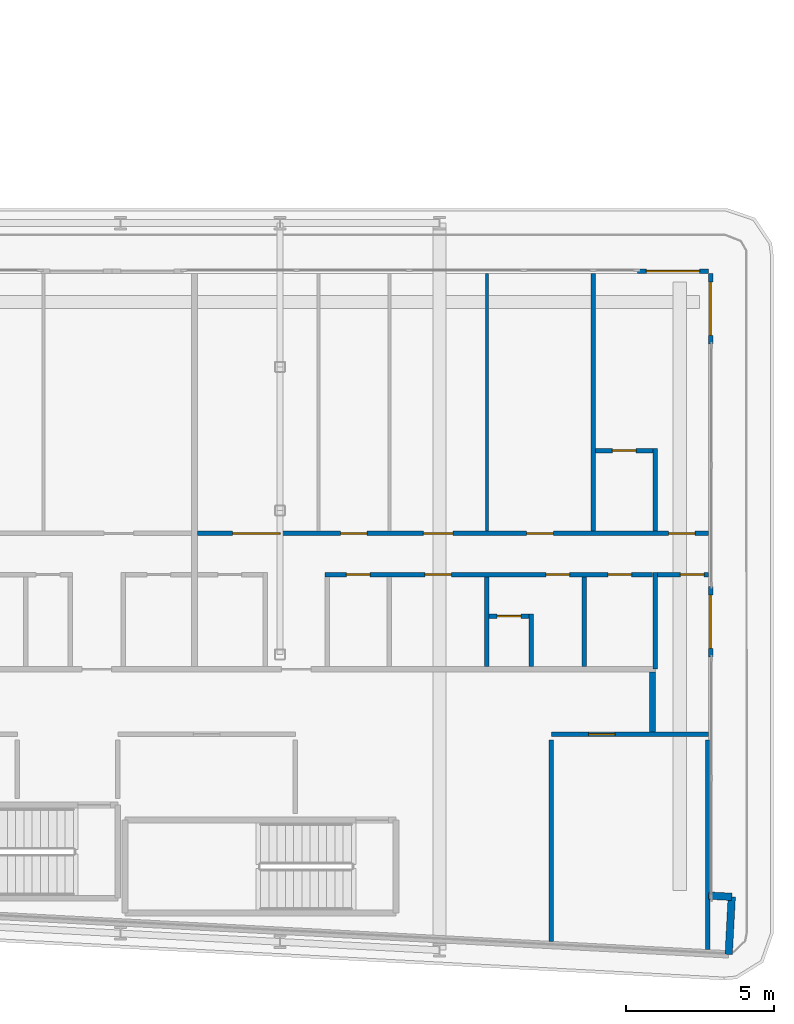
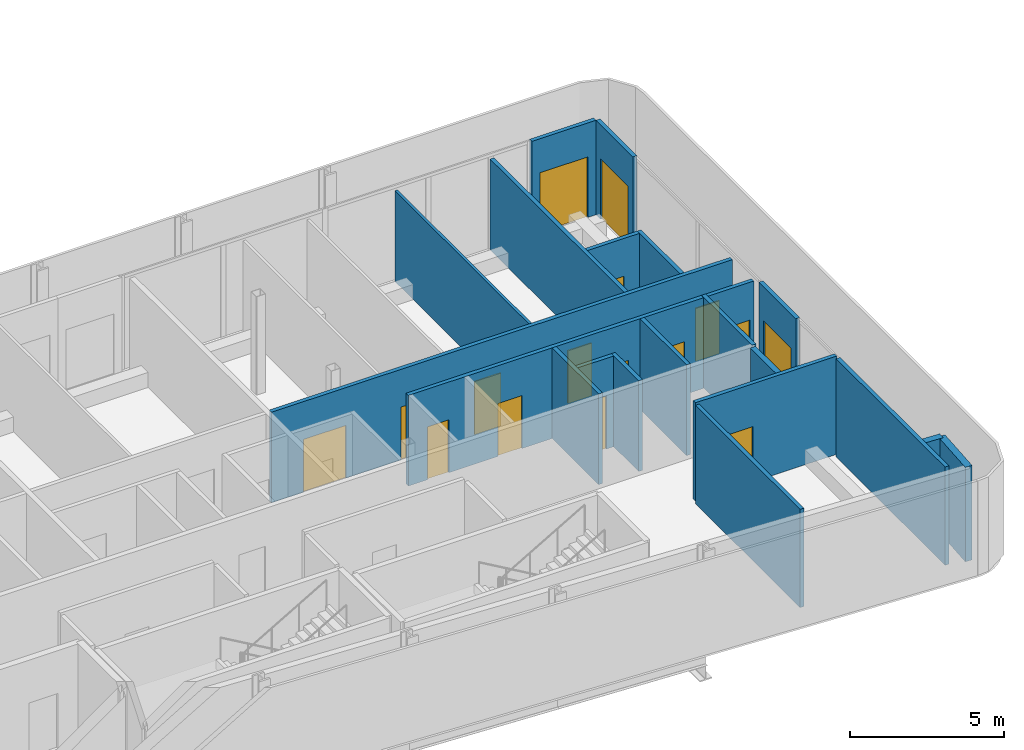
# One storey, part 19 of 28: 21 walls, 16 doors, 16 openings.
"""IFC4 building model written with IfcOpenShell, lengths in metres."""

from ifc_helpers import new_model, si_unit, direction, frame, frame_2d, origin, place, context, subcontext, project, spatial, rectangle, extrude, source, transform, mapped, material, layer, layer_set, type_object, element, fill, save


model = new_model("IFC4")

# Units and contexts
model_context = context("Model", 3, precision=1e-05, world=origin(), true_north=direction((0.0, 1.0)))
body_context = subcontext(model_context, "Body", "Model", "MODEL_VIEW")
ifc_project = project(units=[si_unit("LENGTHUNIT", "METRE"), si_unit("AREAUNIT", "SQUARE_METRE"), si_unit("VOLUMEUNIT", "CUBIC_METRE"), si_unit("PLANEANGLEUNIT", "RADIAN"), si_unit("MASSUNIT", "GRAM", prefix="KILO")], contexts=[model_context])

# Site, building, storey
site_placement = place(None, origin())
site = spatial("IfcSite", under=ifc_project, at=site_placement, CompositionType="ELEMENT")
building_placement = place(site_placement, origin())
building = spatial("IfcBuilding", under=site, at=building_placement, Name="Kheshtan School and Residences Tower", CompositionType="ELEMENT")
storey_placement = place(building_placement, frame((0.0, 0.0, 140.89990234375)))
storey = spatial("IfcBuildingStorey", under=building, at=storey_placement, Name="L33", CompositionType="ELEMENT", Elevation=140.89990234375)

# Walls
ifc_material_1 = material(Name="Gypsum board on steel studs with fire boards", Category="steel")
ifc_layer_1 = layer(ifc_material_1, 0.199951171875)
ifc_layer_set_1 = layer_set([ifc_layer_1], Name="Corridor wall 200")
wall_type_1 = type_object("IfcWallType", Name="Corridor wall 200", PredefinedType="PARTITIONING", material=ifc_layer_set_1)
wall_1_placement = place(storey_placement, frame((98.0, 28.3740234375, 0.0), z_axis=(0.0, 0.0, 1.0), x_axis=(0.0, 1.0, 0.0)))
element("IfcWall", 1, at=wall_1_placement, inside=storey, type_object=wall_type_1, Name="Partition L33-087", PredefinedType="PARTITIONING", context=body_context, shape_type="SweptSolid", body=[
    extrude(rectangle(XDim=2.02587890625, YDim=0.199951171875, at=frame_2d((1.012939453125, 0.0))), origin(), (0.0, 0.0, 1.0), 3.60009765625),
])
ifc_material_2 = material(Name="Concrete C40/50 with ceramic cladding and mineral wool insulation", Category="concrete")
ifc_layer_2 = layer(ifc_material_2, 0.25)
ifc_layer_set_2 = layer_set([ifc_layer_2], Name="External wall 250 ceramic clad")
wall_type_2 = type_object("IfcWallType", Name="External wall 250 ceramic clad", PredefinedType="SOLIDWALL", material=ifc_layer_set_2)
wall_2_placement = place(storey_placement, frame((99.906982421875, 22.839111328125, 0.0), z_axis=(0.0, 0.0, 1.0), x_axis=(0.998561284263, -0.053622398031, 0.0)))
element("IfcWall", 2, at=wall_2_placement, inside=storey, type_object=wall_type_2, Name="External wall L33 14", PredefinedType="SOLIDWALL", context=body_context, shape_type="SweptSolid", body=[
    extrude(rectangle(XDim=0.783203125, YDim=0.25, at=frame_2d((0.3916015625, 0.0))), origin(), (0.0, 0.0, 1.0), 3.75),
])
wall_3_placement = place(storey_placement, frame((100.68896484375, 22.797119140625, 0.0), z_axis=(0.0, 0.0, 1.0), x_axis=(-0.052841433274, -0.998602915542, 0.0)))
element("IfcWall", 3, at=wall_3_placement, inside=storey, type_object=wall_type_2, Name="External wall L33 15", PredefinedType="SOLIDWALL", context=body_context, shape_type="SweptSolid", body=[
    extrude(rectangle(XDim=1.94970703125, YDim=0.25, at=frame_2d((0.974853515625, 0.0))), origin(), (0.0, 0.0, 1.0), 3.75),
])

# Wall, opening, door
ifc_material_3 = material(Name="Aluminium frame wall with insulated infill", Category="aluminium")
ifc_layer_3 = layer(ifc_material_3, 0.14990234375)
ifc_layer_set_3 = layer_set([ifc_layer_3], Name="Glazing frame wall 150")
wall_type_3 = type_object("IfcWallType", Name="Glazing frame wall 150", PredefinedType="SOLIDWALL", material=ifc_layer_set_3)
wall_4_placement = place(storey_placement, frame((97.5, 43.97509765625, 0.0), z_axis=(0.0, 0.0, 1.0), x_axis=(1.0, 0.0, 0.0)))
wall_4 = element("IfcWall", 4, at=wall_4_placement, inside=storey, type_object=wall_type_3, Name="Balcony door wall L33 12.5", PredefinedType="SOLIDWALL", context=body_context, shape_type="SweptSolid", body=[
    extrude(rectangle(XDim=2.39990234375, YDim=0.14990234375, at=frame_2d((1.199951171875, 0.0))), origin(), (0.0, 0.0, 1.0), 3.75),
])
opening_1_placement = place(wall_4_placement, frame((0.300048828125, 0.0, 0.0)))
opening_1 = element("IfcOpeningElement", 5, at=opening_1_placement, cuts=wall_4, Name="Opening BD", PredefinedType="OPENING", context=body_context, shape_type="SweptSolid", body=[
    extrude(rectangle(XDim=1.800048828125, YDim=2.39990234375, at=frame_2d((0.89990234375, 1.199951171875))), frame((0.0, 0.0849609375, 0.0), z_axis=(0.0, -1.0, 0.0), x_axis=(1.0, 0.0, 0.0)), (0.0, 0.0, 1.0), 0.169921875),
])
ifc_material_4 = material(Name="Clear low-e glass in thermally broken aluminium frame", Category="aluminium")
door_type_1 = type_object("IfcDoorType", Name="Balcony sliding door", OperationType="SLIDING_TO_LEFT", PredefinedType="DOOR", material=ifc_material_4)
shared_shape_1 = source(origin(), body_context, "Body", "SweptSolid", [
    extrude(rectangle(XDim=1.800048828125, YDim=2.39990234375, at=frame_2d((0.89990234375, 1.199951171875))), frame((0.0, 0.02490234375, 0.0), z_axis=(0.0, -1.0, 0.0), x_axis=(1.0, 0.0, 0.0)), (0.0, 0.0, 1.0), 0.050048828125),
])
door_1_placement = place(opening_1_placement, origin())
door_1 = element("IfcDoor", 6, at=door_1_placement, inside=storey, type_object=door_type_1, Name="Balcony door L33 12.5", OperationType="SLIDING_TO_LEFT", OverallHeight=2.39990234375, OverallWidth=1.800048828125, PredefinedType="DOOR", context=body_context, shape_type="MappedRepresentation", body=[
    mapped(shared_shape_1, transform((0.0, 0.0, 0.0), x_axis=(1.0, 0.0, 0.0), y_axis=(0.0, 1.0, 0.0), z_axis=(0.0, 0.0, 1.0), scale=1.0)),
])
fill(opening_1, door_1)

wall_5_placement = place(storey_placement, frame((99.97509765625, 43.89990234375, 0.0), z_axis=(0.0, 0.0, 1.0), x_axis=(0.0, -1.0, 0.0)))
wall_5 = element("IfcWall", 7, at=wall_5_placement, inside=storey, type_object=wall_type_3, Name="Balcony door wall L33 13.1", PredefinedType="SOLIDWALL", context=body_context, shape_type="SweptSolid", body=[
    extrude(rectangle(XDim=2.39990234375, YDim=0.14990234375, at=frame_2d((1.199951171875, 0.0))), origin(), (0.0, 0.0, 1.0), 3.75),
])
opening_2_placement = place(wall_5_placement, frame((0.300048828125, 0.0, 0.0)))
opening_2 = element("IfcOpeningElement", 8, at=opening_2_placement, cuts=wall_5, Name="Opening BD", PredefinedType="OPENING", context=body_context, shape_type="SweptSolid", body=[
    extrude(rectangle(XDim=1.800048828125, YDim=2.39990234375, at=frame_2d((0.89990234375, 1.199951171875))), frame((0.0, 0.0849609375, 0.0), z_axis=(0.0, -1.0, 0.0), x_axis=(1.0, 0.0, 0.0)), (0.0, 0.0, 1.0), 0.169921875),
])
door_2_placement = place(opening_2_placement, origin())
door_2 = element("IfcDoor", 9, at=door_2_placement, inside=storey, type_object=door_type_1, Name="Balcony door L33 13.1", OperationType="SLIDING_TO_LEFT", OverallHeight=2.39990234375, OverallWidth=1.800048828125, PredefinedType="DOOR", context=body_context, shape_type="MappedRepresentation", body=[
    mapped(shared_shape_1, transform((0.0, 0.0, 0.0), x_axis=(1.0, 0.0, 0.0), y_axis=(0.0, 1.0, 0.0), z_axis=(0.0, 0.0, 1.0), scale=1.0)),
])
fill(opening_2, door_2)

wall_6_placement = place(storey_placement, frame((99.97509765625, 33.306884765625, 0.0), z_axis=(0.0, 0.0, 1.0), x_axis=(0.0, -1.0, 0.0)))
wall_6 = element("IfcWall", 10, at=wall_6_placement, inside=storey, type_object=wall_type_3, Name="Balcony door wall L33 13.2", PredefinedType="SOLIDWALL", context=body_context, shape_type="SweptSolid", body=[
    extrude(rectangle(XDim=2.39990234375, YDim=0.14990234375, at=frame_2d((1.199951171875, 0.0))), origin(), (0.0, 0.0, 1.0), 3.75),
])
opening_3_placement = place(wall_6_placement, frame((0.300048828125, 0.0, 0.0)))
opening_3 = element("IfcOpeningElement", 11, at=opening_3_placement, cuts=wall_6, Name="Opening BD", PredefinedType="OPENING", context=body_context, shape_type="SweptSolid", body=[
    extrude(rectangle(XDim=1.800048828125, YDim=2.39990234375, at=frame_2d((0.89990234375, 1.199951171875))), frame((0.0, 0.0849609375, 0.0), z_axis=(0.0, -1.0, 0.0), x_axis=(1.0, 0.0, 0.0)), (0.0, 0.0, 1.0), 0.169921875),
])
door_3_placement = place(opening_3_placement, origin())
door_3 = element("IfcDoor", 12, at=door_3_placement, inside=storey, type_object=door_type_1, Name="Balcony door L33 13.2", OperationType="SLIDING_TO_LEFT", OverallHeight=2.39990234375, OverallWidth=1.800048828125, PredefinedType="DOOR", context=body_context, shape_type="MappedRepresentation", body=[
    mapped(shared_shape_1, transform((0.0, 0.0, 0.0), x_axis=(1.0, 0.0, 0.0), y_axis=(0.0, 1.0, 0.0), z_axis=(0.0, 0.0, 1.0), scale=1.0)),
])
fill(opening_3, door_3)

# Wall
ifc_material_5 = material(Name="Gypsum board on steel studs", Category="steel")
ifc_layer_4 = layer(ifc_material_5, 0.10009765625)
ifc_layer_set_4 = layer_set([ifc_layer_4], Name="Gypsum partition 100")
wall_type_4 = type_object("IfcWallType", Name="Gypsum partition 100", PredefinedType="PARTITIONING", material=ifc_layer_set_4)
wall_7_placement = place(storey_placement, frame((92.39990234375, 35.175048828125, 0.0), z_axis=(0.0, 0.0, 1.0), x_axis=(0.0, 1.0, 0.0)))
element("IfcWall", 13, at=wall_7_placement, inside=storey, type_object=wall_type_4, Name="Partition L33-081", PredefinedType="PARTITIONING", context=body_context, shape_type="SweptSolid", body=[
    extrude(rectangle(XDim=8.724853515625, YDim=0.10009765625, at=frame_2d((4.3623046875, 0.0))), origin(), (0.0, 0.0, 1.0), 3.60009765625),
])

# Wall, opening, door
ifc_material_6 = material(Name="Fire-board shaft wall system")
ifc_layer_5 = layer(ifc_material_6, 0.14990234375)
ifc_layer_set_5 = layer_set([ifc_layer_5], Name="Service room wall 150")
wall_type_5 = type_object("IfcWallType", Name="Service room wall 150", PredefinedType="PARTITIONING", material=ifc_layer_set_5)
wall_8_placement = place(storey_placement, frame((94.5869140625, 28.300048828125, 0.0), z_axis=(0.0, 0.0, 1.0), x_axis=(1.0, 0.0, 0.0)))
wall_8 = element("IfcWall", 14, at=wall_8_placement, inside=storey, type_object=wall_type_5, Name="Service room wall", PredefinedType="PARTITIONING", context=body_context, shape_type="SweptSolid", body=[
    extrude(rectangle(XDim=5.31103515625, YDim=0.14990234375, at=frame_2d((2.655517578125, 0.0))), origin(), (0.0, 0.0, 1.0), 3.900146484375),
])
opening_4_placement = place(wall_8_placement, frame((1.256103515625, 0.0, 0.0)))
opening_4 = element("IfcOpeningElement", 15, at=opening_4_placement, cuts=wall_8, Name="Opening SR90", PredefinedType="OPENING", context=body_context, shape_type="SweptSolid", body=[
    extrude(rectangle(XDim=0.89990234375, YDim=2.199951171875, at=frame_2d((0.449951171875, 1.10009765625))), frame((0.0, 0.0849609375, 0.0), z_axis=(0.0, -1.0, 0.0), x_axis=(1.0, 0.0, 0.0)), (0.0, 0.0, 1.0), 0.169921875),
])
ifc_material_7 = material(Name="Steel door leaf, galvanised", Category="steel")
door_type_2 = type_object("IfcDoorType", Name="Service room door 900 steel 90 min", OperationType="SINGLE_SWING_LEFT", PredefinedType="DOOR", material=ifc_material_7)
shared_shape_2 = source(origin(), body_context, "Body", "SweptSolid", [
    extrude(rectangle(XDim=0.89990234375, YDim=2.199951171875, at=frame_2d((0.449951171875, 1.10009765625))), frame((0.0, 0.02490234375, 0.0), z_axis=(0.0, -1.0, 0.0), x_axis=(1.0, 0.0, 0.0)), (0.0, 0.0, 1.0), 0.050048828125),
])
door_4_placement = place(opening_4_placement, origin())
door_4 = element("IfcDoor", 16, at=door_4_placement, inside=storey, type_object=door_type_2, Name="Service room door", OperationType="SINGLE_SWING_RIGHT", OverallHeight=2.199951171875, OverallWidth=0.89990234375, PredefinedType="DOOR", context=body_context, shape_type="MappedRepresentation", body=[
    mapped(shared_shape_2, transform((0.0, 0.0, 0.0), x_axis=(1.0, 0.0, 0.0), y_axis=(0.0, 1.0, 0.0), z_axis=(0.0, 0.0, 1.0), scale=1.0)),
])
fill(opening_4, door_4)

# Walls
wall_9_placement = place(storey_placement, frame((94.5869140625, 21.29296875, 0.0), z_axis=(0.0, 0.0, 1.0), x_axis=(0.0, 1.0, 0.0)))
element("IfcWall", 17, at=wall_9_placement, inside=storey, type_object=wall_type_5, Name="Service room wall", PredefinedType="PARTITIONING", context=body_context, shape_type="SweptSolid", body=[
    extrude(rectangle(XDim=6.81201171875, YDim=0.14990234375, at=frame_2d((3.406005859375, 0.0))), origin(), (0.0, 0.0, 1.0), 3.900146484375),
])
wall_10_placement = place(storey_placement, frame((99.8701171875, 21.014892578125, 0.0), z_axis=(0.0, 0.0, 1.0), x_axis=(0.0, 1.0, 0.0)))
element("IfcWall", 18, at=wall_10_placement, inside=storey, type_object=wall_type_5, Name="Service room wall", PredefinedType="PARTITIONING", context=body_context, shape_type="SweptSolid", body=[
    extrude(rectangle(XDim=7.090087890625, YDim=0.14990234375, at=frame_2d((3.544921875, 0.0))), origin(), (0.0, 0.0, 1.0), 3.900146484375),
])

# Wall, openings, doors
ifc_material_8 = material(Name="Moisture-resistant gypsum board on steel studs", Category="steel")
ifc_layer_6 = layer(ifc_material_8, 0.14990234375)
ifc_layer_set_6 = layer_set([ifc_layer_6], Name="Wet-room partition 150")
wall_type_6 = type_object("IfcWallType", Name="Wet-room partition 150", PredefinedType="PARTITIONING", material=ifc_layer_set_6)
wall_11_placement = place(storey_placement, frame((82.60009765625, 35.10009765625, 0.0), z_axis=(0.0, 0.0, 1.0), x_axis=(1.0, 0.0, 0.0)))
wall_11 = element("IfcWall", 19, at=wall_11_placement, inside=storey, type_object=wall_type_6, Name="Partition L33-073", PredefinedType="PARTITIONING", context=body_context, shape_type="SweptSolid", body=[
    extrude(rectangle(XDim=17.2998046875, YDim=0.14990234375, at=frame_2d((8.64990234375, 0.0))), origin(), (0.0, 0.0, 1.0), 3.60009765625),
])
opening_5_placement = place(wall_11_placement, frame((4.85009765625, 0.0, 0.0)))
opening_5 = element("IfcOpeningElement", 20, at=opening_5_placement, cuts=wall_11, Name="Opening D32-023", PredefinedType="OPENING", context=body_context, shape_type="SweptSolid", body=[
    extrude(rectangle(XDim=0.89990234375, YDim=2.10009765625, at=frame_2d((0.449951171875, 1.050048828125))), frame((0.0, 0.0849609375, 0.0), z_axis=(0.0, -1.0, 0.0), x_axis=(1.0, 0.0, 0.0)), (0.0, 0.0, 1.0), 0.169921875),
])
opening_6_placement = place(wall_11_placement, frame((11.14990234375, 0.0, 0.0)))
opening_6 = element("IfcOpeningElement", 21, at=opening_6_placement, cuts=wall_11, Name="Opening D32-024", PredefinedType="OPENING", context=body_context, shape_type="SweptSolid", body=[
    extrude(rectangle(XDim=0.89990234375, YDim=2.10009765625, at=frame_2d((0.449951171875, 1.050048828125))), frame((0.0, 0.0849609375, 0.0), z_axis=(0.0, -1.0, 0.0), x_axis=(1.0, 0.0, 0.0)), (0.0, 0.0, 1.0), 0.169921875),
])
opening_7_placement = place(wall_11_placement, frame((7.64990234375, 0.0, 0.0)))
opening_7 = element("IfcOpeningElement", 22, at=opening_7_placement, cuts=wall_11, Name="Opening D32-029", PredefinedType="OPENING", context=body_context, shape_type="SweptSolid", body=[
    extrude(rectangle(XDim=1.0, YDim=2.10009765625, at=frame_2d((0.5, 1.050048828125))), frame((0.0, 0.0849609375, 0.0), z_axis=(0.0, -1.0, 0.0), x_axis=(1.0, 0.0, 0.0)), (0.0, 0.0, 1.0), 0.169921875),
])
opening_8_placement = place(wall_11_placement, frame((1.199951171875, 0.0, 0.0)))
opening_8 = element("IfcOpeningElement", 23, at=opening_8_placement, cuts=wall_11, Name="Opening D32-032", PredefinedType="OPENING", context=body_context, shape_type="SweptSolid", body=[
    extrude(rectangle(XDim=1.60009765625, YDim=2.10009765625, at=frame_2d((0.800048828125, 1.050048828125))), frame((0.0, 0.0849609375, 0.0), z_axis=(0.0, -1.0, 0.0), x_axis=(1.0, 0.0, 0.0)), (0.0, 0.0, 1.0), 0.169921875),
])
opening_9_placement = place(wall_11_placement, frame((15.949951171875, 0.0, 0.0)))
opening_9 = element("IfcOpeningElement", 24, at=opening_9_placement, cuts=wall_11, Name="Opening D32-033", PredefinedType="OPENING", context=body_context, shape_type="SweptSolid", body=[
    extrude(rectangle(XDim=0.89990234375, YDim=2.10009765625, at=frame_2d((0.449951171875, 1.050048828125))), frame((0.0, 0.0849609375, 0.0), z_axis=(0.0, -1.0, 0.0), x_axis=(1.0, 0.0, 0.0)), (0.0, 0.0, 1.0), 0.169921875),
])
ifc_material_9 = material(Name="Veneered timber door leaf", Category="wood")
door_type_3 = type_object("IfcDoorType", Name="Door 1000 x 2100", OperationType="SINGLE_SWING_LEFT", PredefinedType="DOOR", material=ifc_material_9)
shared_shape_3 = source(origin(), body_context, "Body", "SweptSolid", [
    extrude(rectangle(XDim=1.0, YDim=2.10009765625, at=frame_2d((0.5, 1.050048828125))), frame((0.0, 0.02490234375, 0.0), z_axis=(0.0, -1.0, 0.0), x_axis=(1.0, 0.0, 0.0)), (0.0, 0.0, 1.0), 0.050048828125),
])
door_5_placement = place(opening_7_placement, origin())
door_5 = element("IfcDoor", 25, at=door_5_placement, inside=storey, type_object=door_type_3, Name="Door D32-029", OperationType="SINGLE_SWING_RIGHT", OverallHeight=2.10009765625, OverallWidth=1.0, PredefinedType="DOOR", context=body_context, shape_type="MappedRepresentation", body=[
    mapped(shared_shape_3, transform((0.0, 0.0, 0.0), x_axis=(1.0, 0.0, 0.0), y_axis=(0.0, 1.0, 0.0), z_axis=(0.0, 0.0, 1.0), scale=1.0)),
])
fill(opening_7, door_5)
door_type_4 = type_object("IfcDoorType", Name="Door 900 x 2100", OperationType="SINGLE_SWING_LEFT", PredefinedType="DOOR", material=ifc_material_9)
shared_shape_4 = source(origin(), body_context, "Body", "SweptSolid", [
    extrude(rectangle(XDim=0.89990234375, YDim=2.10009765625, at=frame_2d((0.449951171875, 1.050048828125))), frame((0.0, 0.02490234375, 0.0), z_axis=(0.0, -1.0, 0.0), x_axis=(1.0, 0.0, 0.0)), (0.0, 0.0, 1.0), 0.050048828125),
])
door_6_placement = place(opening_5_placement, origin())
door_6 = element("IfcDoor", 26, at=door_6_placement, inside=storey, type_object=door_type_4, Name="Door D32-023", OperationType="SINGLE_SWING_RIGHT", OverallHeight=2.10009765625, OverallWidth=0.89990234375, PredefinedType="DOOR", context=body_context, shape_type="MappedRepresentation", body=[
    mapped(shared_shape_4, transform((0.0, 0.0, 0.0), x_axis=(1.0, 0.0, 0.0), y_axis=(0.0, 1.0, 0.0), z_axis=(0.0, 0.0, 1.0), scale=1.0)),
])
fill(opening_5, door_6)
door_7_placement = place(opening_6_placement, origin())
door_7 = element("IfcDoor", 27, at=door_7_placement, inside=storey, type_object=door_type_4, Name="Door D32-024", OperationType="SINGLE_SWING_LEFT", OverallHeight=2.10009765625, OverallWidth=0.89990234375, PredefinedType="DOOR", context=body_context, shape_type="MappedRepresentation", body=[
    mapped(shared_shape_4, transform((0.0, 0.0, 0.0), x_axis=(1.0, 0.0, 0.0), y_axis=(0.0, 1.0, 0.0), z_axis=(0.0, 0.0, 1.0), scale=1.0)),
])
fill(opening_6, door_7)
door_8_placement = place(opening_9_placement, origin())
door_8 = element("IfcDoor", 28, at=door_8_placement, inside=storey, type_object=door_type_4, Name="Door D32-033", OperationType="SINGLE_SWING_LEFT", OverallHeight=2.10009765625, OverallWidth=0.89990234375, PredefinedType="DOOR", context=body_context, shape_type="MappedRepresentation", body=[
    mapped(shared_shape_4, transform((0.0, 0.0, 0.0), x_axis=(1.0, 0.0, 0.0), y_axis=(0.0, 1.0, 0.0), z_axis=(0.0, 0.0, 1.0), scale=1.0)),
])
fill(opening_9, door_8)
door_type_5 = type_object("IfcDoorType", Name="Double door 1600 x 2100", OperationType="DOUBLE_DOOR_SINGLE_SWING", PredefinedType="DOOR", material=ifc_material_9)
shared_shape_5 = source(origin(), body_context, "Body", "SweptSolid", [
    extrude(rectangle(XDim=1.60009765625, YDim=2.10009765625, at=frame_2d((0.800048828125, 1.050048828125))), frame((0.0, 0.02490234375, 0.0), z_axis=(0.0, -1.0, 0.0), x_axis=(1.0, 0.0, 0.0)), (0.0, 0.0, 1.0), 0.050048828125),
])
door_9_placement = place(opening_8_placement, origin())
door_9 = element("IfcDoor", 29, at=door_9_placement, inside=storey, type_object=door_type_5, Name="Door D32-032", OperationType="DOUBLE_DOOR_SINGLE_SWING", OverallHeight=2.10009765625, OverallWidth=1.60009765625, PredefinedType="DOOR", context=body_context, shape_type="MappedRepresentation", body=[
    mapped(shared_shape_5, transform((0.0, 0.0, 0.0), x_axis=(1.0, 0.0, 0.0), y_axis=(0.0, 1.0, 0.0), z_axis=(0.0, 0.0, 1.0), scale=1.0)),
])
fill(opening_8, door_9)

wall_12_placement = place(storey_placement, frame((86.925048828125, 33.699951171875, 0.0), z_axis=(0.0, 0.0, 1.0), x_axis=(1.0, 0.0, 0.0)))
wall_12 = element("IfcWall", 30, at=wall_12_placement, inside=storey, type_object=wall_type_6, Name="Partition L33-076", PredefinedType="PARTITIONING", context=body_context, shape_type="SweptSolid", body=[
    extrude(rectangle(XDim=11.074951171875, YDim=0.14990234375, at=frame_2d((5.53759765625, 0.0))), origin(), (0.0, 0.0, 1.0), 3.60009765625),
])
opening_10_placement = place(wall_12_placement, frame((9.574951171875, 0.0, 0.0)))
opening_10 = element("IfcOpeningElement", 31, at=opening_10_placement, cuts=wall_12, Name="Opening D32-022", PredefinedType="OPENING", context=body_context, shape_type="SweptSolid", body=[
    extrude(rectangle(XDim=0.800048828125, YDim=2.10009765625, at=frame_2d((0.39990234375, 1.050048828125))), frame((0.0, 0.0849609375, 0.0), z_axis=(0.0, -1.0, 0.0), x_axis=(1.0, 0.0, 0.0)), (0.0, 0.0, 1.0), 0.169921875),
])
opening_11_placement = place(wall_12_placement, frame((3.375, 0.0, 0.0)))
opening_11 = element("IfcOpeningElement", 32, at=opening_11_placement, cuts=wall_12, Name="Opening D32-027", PredefinedType="OPENING", context=body_context, shape_type="SweptSolid", body=[
    extrude(rectangle(XDim=0.89990234375, YDim=2.10009765625, at=frame_2d((0.449951171875, 1.050048828125))), frame((0.0, 0.0849609375, 0.0), z_axis=(0.0, -1.0, 0.0), x_axis=(1.0, 0.0, 0.0)), (0.0, 0.0, 1.0), 0.169921875),
])
opening_12_placement = place(wall_12_placement, frame((0.72509765625, 0.0, 0.0)))
opening_12 = element("IfcOpeningElement", 33, at=opening_12_placement, cuts=wall_12, Name="Opening D32-028", PredefinedType="OPENING", context=body_context, shape_type="SweptSolid", body=[
    extrude(rectangle(XDim=0.800048828125, YDim=2.10009765625, at=frame_2d((0.39990234375, 1.050048828125))), frame((0.0, 0.0849609375, 0.0), z_axis=(0.0, -1.0, 0.0), x_axis=(1.0, 0.0, 0.0)), (0.0, 0.0, 1.0), 0.169921875),
])
opening_13_placement = place(wall_12_placement, frame((7.47509765625, 0.0, 0.0)))
opening_13 = element("IfcOpeningElement", 34, at=opening_13_placement, cuts=wall_12, Name="Opening D32-030", PredefinedType="OPENING", context=body_context, shape_type="SweptSolid", body=[
    extrude(rectangle(XDim=0.800048828125, YDim=2.10009765625, at=frame_2d((0.39990234375, 1.050048828125))), frame((0.0, 0.0849609375, 0.0), z_axis=(0.0, -1.0, 0.0), x_axis=(1.0, 0.0, 0.0)), (0.0, 0.0, 1.0), 0.169921875),
])
door_type_6 = type_object("IfcDoorType", Name="Door 800 x 2100", OperationType="SINGLE_SWING_LEFT", PredefinedType="DOOR", material=ifc_material_9)
shared_shape_6 = source(origin(), body_context, "Body", "SweptSolid", [
    extrude(rectangle(XDim=0.800048828125, YDim=2.10009765625, at=frame_2d((0.39990234375, 1.050048828125))), frame((0.0, 0.02490234375, 0.0), z_axis=(0.0, -1.0, 0.0), x_axis=(1.0, 0.0, 0.0)), (0.0, 0.0, 1.0), 0.050048828125),
])
door_10_placement = place(opening_10_placement, origin())
door_10 = element("IfcDoor", 35, at=door_10_placement, inside=storey, type_object=door_type_6, Name="Door D32-022", OperationType="SINGLE_SWING_LEFT", OverallHeight=2.10009765625, OverallWidth=0.800048828125, PredefinedType="DOOR", context=body_context, shape_type="MappedRepresentation", body=[
    mapped(shared_shape_6, transform((0.0, 0.0, 0.0), x_axis=(1.0, 0.0, 0.0), y_axis=(0.0, 1.0, 0.0), z_axis=(0.0, 0.0, 1.0), scale=1.0)),
])
fill(opening_10, door_10)
door_11_placement = place(opening_12_placement, origin())
door_11 = element("IfcDoor", 36, at=door_11_placement, inside=storey, type_object=door_type_6, Name="Door D32-028", OperationType="SINGLE_SWING_RIGHT", OverallHeight=2.10009765625, OverallWidth=0.800048828125, PredefinedType="DOOR", context=body_context, shape_type="MappedRepresentation", body=[
    mapped(shared_shape_6, transform((0.0, 0.0, 0.0), x_axis=(1.0, 0.0, 0.0), y_axis=(0.0, 1.0, 0.0), z_axis=(0.0, 0.0, 1.0), scale=1.0)),
])
fill(opening_12, door_11)
door_12_placement = place(opening_13_placement, origin())
door_12 = element("IfcDoor", 37, at=door_12_placement, inside=storey, type_object=door_type_6, Name="Door D32-030", OperationType="SINGLE_SWING_LEFT", OverallHeight=2.10009765625, OverallWidth=0.800048828125, PredefinedType="DOOR", context=body_context, shape_type="MappedRepresentation", body=[
    mapped(shared_shape_6, transform((0.0, 0.0, 0.0), x_axis=(1.0, 0.0, 0.0), y_axis=(0.0, 1.0, 0.0), z_axis=(0.0, 0.0, 1.0), scale=1.0)),
])
fill(opening_13, door_12)
door_13_placement = place(opening_11_placement, origin())
door_13 = element("IfcDoor", 38, at=door_13_placement, inside=storey, type_object=door_type_4, Name="Door D32-027", OperationType="SINGLE_SWING_LEFT", OverallHeight=2.10009765625, OverallWidth=0.89990234375, PredefinedType="DOOR", context=body_context, shape_type="MappedRepresentation", body=[
    mapped(shared_shape_4, transform((0.0, 0.0, 0.0), x_axis=(1.0, 0.0, 0.0), y_axis=(0.0, 1.0, 0.0), z_axis=(0.0, 0.0, 1.0), scale=1.0)),
])
fill(opening_11, door_13)

# Wall
wall_13_placement = place(storey_placement, frame((92.39990234375, 30.60009765625, 0.0), z_axis=(0.0, 0.0, 1.0), x_axis=(0.0, 1.0, 0.0)))
element("IfcWall", 39, at=wall_13_placement, inside=storey, type_object=wall_type_6, Name="Partition L33-080", PredefinedType="PARTITIONING", context=body_context, shape_type="SweptSolid", body=[
    extrude(rectangle(XDim=3.02490234375, YDim=0.14990234375, at=frame_2d((1.512451171875, 0.0))), origin(), (0.0, 0.0, 1.0), 3.60009765625),
])

# Wall, opening, door
wall_14_placement = place(storey_placement, frame((92.47509765625, 32.300048828125, 0.0), z_axis=(0.0, 0.0, 1.0), x_axis=(1.0, 0.0, 0.0)))
wall_14 = element("IfcWall", 40, at=wall_14_placement, inside=storey, type_object=wall_type_6, Name="Partition L33-082", PredefinedType="PARTITIONING", context=body_context, shape_type="SweptSolid", body=[
    extrude(rectangle(XDim=1.349853515625, YDim=0.14990234375, at=frame_2d((0.6748046875, 0.0))), origin(), (0.0, 0.0, 1.0), 3.60009765625),
])
opening_14_placement = place(wall_14_placement, frame((0.27490234375, 0.0, 0.0)))
opening_14 = element("IfcOpeningElement", 41, at=opening_14_placement, cuts=wall_14, Name="Opening D32-031", PredefinedType="OPENING", context=body_context, shape_type="SweptSolid", body=[
    extrude(rectangle(XDim=0.800048828125, YDim=2.10009765625, at=frame_2d((0.39990234375, 1.050048828125))), frame((0.0, 0.0849609375, 0.0), z_axis=(0.0, -1.0, 0.0), x_axis=(1.0, 0.0, 0.0)), (0.0, 0.0, 1.0), 0.169921875),
])
door_14_placement = place(opening_14_placement, origin())
door_14 = element("IfcDoor", 42, at=door_14_placement, inside=storey, type_object=door_type_6, Name="Door D32-031", OperationType="SINGLE_SWING_RIGHT", OverallHeight=2.10009765625, OverallWidth=0.800048828125, PredefinedType="DOOR", context=body_context, shape_type="MappedRepresentation", body=[
    mapped(shared_shape_6, transform((0.0, 0.0, 0.0), x_axis=(1.0, 0.0, 0.0), y_axis=(0.0, 1.0, 0.0), z_axis=(0.0, 0.0, 1.0), scale=1.0)),
])
fill(opening_14, door_14)

# Walls
wall_15_placement = place(storey_placement, frame((93.89990234375, 30.60009765625, 0.0), z_axis=(0.0, 0.0, 1.0), x_axis=(0.0, 1.0, 0.0)))
element("IfcWall", 43, at=wall_15_placement, inside=storey, type_object=wall_type_6, Name="Partition L33-083", PredefinedType="PARTITIONING", context=body_context, shape_type="SweptSolid", body=[
    extrude(rectangle(XDim=1.77490234375, YDim=0.14990234375, at=frame_2d((0.887451171875, 0.0))), origin(), (0.0, 0.0, 1.0), 3.60009765625),
])
wall_16_placement = place(storey_placement, frame((95.699951171875, 30.60009765625, 0.0), z_axis=(0.0, 0.0, 1.0), x_axis=(0.0, 1.0, 0.0)))
element("IfcWall", 44, at=wall_16_placement, inside=storey, type_object=wall_type_6, Name="Partition L33-084", PredefinedType="PARTITIONING", context=body_context, shape_type="SweptSolid", body=[
    extrude(rectangle(XDim=3.02490234375, YDim=0.14990234375, at=frame_2d((1.512451171875, 0.0))), origin(), (0.0, 0.0, 1.0), 3.60009765625),
])
wall_17_placement = place(storey_placement, frame((96.0, 35.175048828125, 0.0), z_axis=(0.0, 0.0, 1.0), x_axis=(0.0, 1.0, 0.0)))
element("IfcWall", 45, at=wall_17_placement, inside=storey, type_object=wall_type_6, Name="Partition L33-085", PredefinedType="PARTITIONING", context=body_context, shape_type="SweptSolid", body=[
    extrude(rectangle(XDim=8.724853515625, YDim=0.14990234375, at=frame_2d((4.3623046875, 0.0))), origin(), (0.0, 0.0, 1.0), 3.60009765625),
])

# Wall, opening, door
wall_18_placement = place(storey_placement, frame((96.074951171875, 37.89990234375, 0.0), z_axis=(0.0, 0.0, 1.0), x_axis=(1.0, 0.0, 0.0)))
wall_18 = element("IfcWall", 46, at=wall_18_placement, inside=storey, type_object=wall_type_6, Name="Partition L33-086", PredefinedType="PARTITIONING", context=body_context, shape_type="SweptSolid", body=[
    extrude(rectangle(XDim=1.949951171875, YDim=0.14990234375, at=frame_2d((0.97509765625, 0.0))), origin(), (0.0, 0.0, 1.0), 3.60009765625),
])
opening_15_placement = place(wall_18_placement, frame((0.574951171875, 0.0, 0.0)))
opening_15 = element("IfcOpeningElement", 47, at=opening_15_placement, cuts=wall_18, Name="Opening D32-025", PredefinedType="OPENING", context=body_context, shape_type="SweptSolid", body=[
    extrude(rectangle(XDim=0.800048828125, YDim=2.10009765625, at=frame_2d((0.39990234375, 1.050048828125))), frame((0.0, 0.0849609375, 0.0), z_axis=(0.0, -1.0, 0.0), x_axis=(1.0, 0.0, 0.0)), (0.0, 0.0, 1.0), 0.169921875),
])
door_15_placement = place(opening_15_placement, origin())
door_15 = element("IfcDoor", 48, at=door_15_placement, inside=storey, type_object=door_type_6, Name="Door D32-025", OperationType="SINGLE_SWING_LEFT", OverallHeight=2.10009765625, OverallWidth=0.800048828125, PredefinedType="DOOR", context=body_context, shape_type="MappedRepresentation", body=[
    mapped(shared_shape_6, transform((0.0, 0.0, 0.0), x_axis=(1.0, 0.0, 0.0), y_axis=(0.0, 1.0, 0.0), z_axis=(0.0, 0.0, 1.0), scale=1.0)),
])
fill(opening_15, door_15)

# Walls
wall_19_placement = place(storey_placement, frame((98.10009765625, 30.5, 0.0), z_axis=(0.0, 0.0, 1.0), x_axis=(0.0, 1.0, 0.0)))
element("IfcWall", 49, at=wall_19_placement, inside=storey, type_object=wall_type_6, Name="Partition L33-088", PredefinedType="PARTITIONING", context=body_context, shape_type="SweptSolid", body=[
    extrude(rectangle(XDim=3.27490234375, YDim=0.14990234375, at=frame_2d((1.637451171875, 0.0))), origin(), (0.0, 0.0, 1.0), 3.60009765625),
])
wall_20_placement = place(storey_placement, frame((98.10009765625, 35.175048828125, 0.0), z_axis=(0.0, 0.0, 1.0), x_axis=(0.0, 1.0, 0.0)))
element("IfcWall", 50, at=wall_20_placement, inside=storey, type_object=wall_type_6, Name="Partition L33-089", PredefinedType="PARTITIONING", context=body_context, shape_type="SweptSolid", body=[
    extrude(rectangle(XDim=2.800048828125, YDim=0.14990234375, at=frame_2d((1.39990234375, 0.0))), origin(), (0.0, 0.0, 1.0), 3.60009765625),
])

# Wall, opening, door
wall_21_placement = place(storey_placement, frame((98.175048828125, 33.699951171875, 0.0), z_axis=(0.0, 0.0, 1.0), x_axis=(1.0, 0.0, 0.0)))
wall_21 = element("IfcWall", 51, at=wall_21_placement, inside=storey, type_object=wall_type_6, Name="Partition L33-090", PredefinedType="PARTITIONING", context=body_context, shape_type="SweptSolid", body=[
    extrude(rectangle(XDim=1.724853515625, YDim=0.14990234375, at=frame_2d((0.8623046875, 0.0))), origin(), (0.0, 0.0, 1.0), 3.60009765625),
])
opening_16_placement = place(wall_21_placement, frame((0.77490234375, 0.0, 0.0)))
opening_16 = element("IfcOpeningElement", 52, at=opening_16_placement, cuts=wall_21, Name="Opening D32-034", PredefinedType="OPENING", context=body_context, shape_type="SweptSolid", body=[
    extrude(rectangle(XDim=0.800048828125, YDim=2.10009765625, at=frame_2d((0.39990234375, 1.050048828125))), frame((0.0, 0.0849609375, 0.0), z_axis=(0.0, -1.0, 0.0), x_axis=(1.0, 0.0, 0.0)), (0.0, 0.0, 1.0), 0.169921875),
])
door_16_placement = place(opening_16_placement, origin())
door_16 = element("IfcDoor", 53, at=door_16_placement, inside=storey, type_object=door_type_6, Name="Door D32-034", OperationType="SINGLE_SWING_RIGHT", OverallHeight=2.10009765625, OverallWidth=0.800048828125, PredefinedType="DOOR", context=body_context, shape_type="MappedRepresentation", body=[
    mapped(shared_shape_6, transform((0.0, 0.0, 0.0), x_axis=(1.0, 0.0, 0.0), y_axis=(0.0, 1.0, 0.0), z_axis=(0.0, 0.0, 1.0), scale=1.0)),
])
fill(opening_16, door_16)

save(model, "model.ifc")
